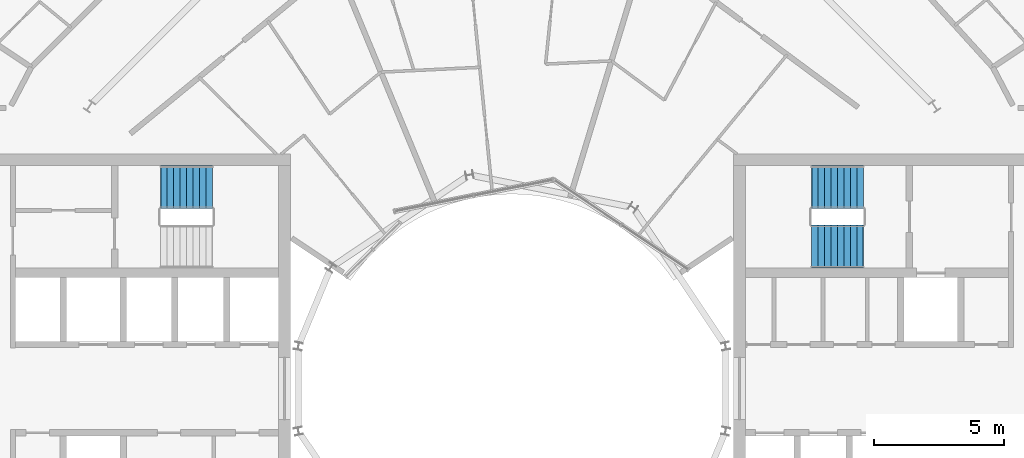
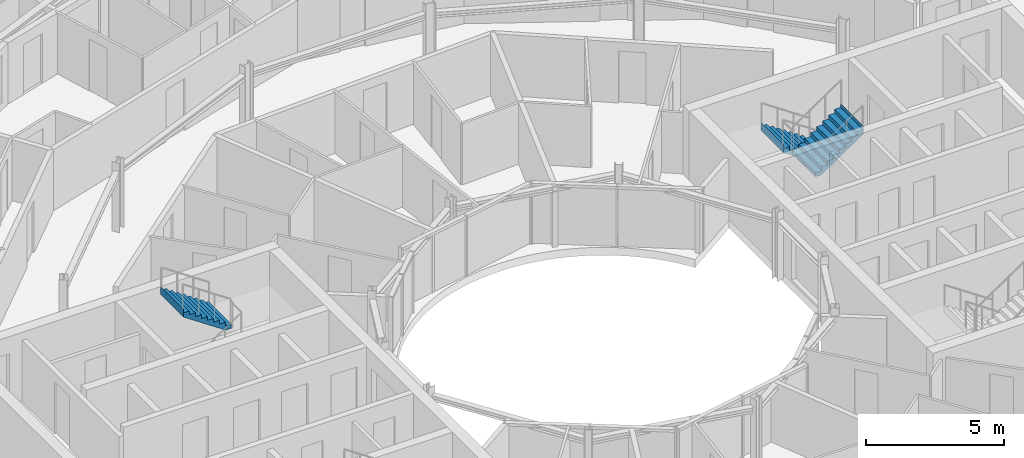
# One storey, part 27 of 29: 3 stair flights, 2 elements without a shape of their own.
"""IFC4 building model written with IfcOpenShell, lengths in metres."""

from ifc_helpers import new_model, si_unit, direction, frame, origin, place, context, subcontext, project, spatial, triangles, material, type_object, element, aggregate, save


model = new_model("IFC4")

# Units and contexts
model_context = context("Model", 3, precision=1e-05, world=origin(), true_north=direction((0.0, 1.0)))
body_context = subcontext(model_context, "Body", "Model", "MODEL_VIEW")
ifc_project = project(units=[si_unit("LENGTHUNIT", "METRE"), si_unit("AREAUNIT", "SQUARE_METRE"), si_unit("VOLUMEUNIT", "CUBIC_METRE"), si_unit("PLANEANGLEUNIT", "RADIAN"), si_unit("MASSUNIT", "GRAM", prefix="KILO")], contexts=[model_context])

# Site, building, storey
site_placement = place(None, origin())
site = spatial("IfcSite", under=ifc_project, at=site_placement, CompositionType="ELEMENT")
building_placement = place(site_placement, origin())
building = spatial("IfcBuilding", under=site, at=building_placement, Name="Maasbend Ring Residences", CompositionType="ELEMENT")
storey_placement = place(building_placement, frame((0.0, 0.0, 205.449951171875)))
storey = spatial("IfcBuildingStorey", under=building, at=storey_placement, Name="L59", CompositionType="ELEMENT", Elevation=205.449951171875)

# Stair, stair flights
ifc_material_1 = material(Name="Concrete C40/50", Category="concrete")
stair_type = type_object("IfcStairType", Name="CORE STAIR 18 RISERS", PredefinedType="HALF_TURN_STAIR", material=ifc_material_1)
stair_1_placement = place(storey_placement, origin())
stair_1 = element("IfcStair", 1, at=stair_1_placement, inside=storey, type_object=stair_type, Name="L59 Exit stair ST-E1", PredefinedType="HALF_TURN_STAIR")
ifc_material_2 = material(Name="Concrete C40/50", Category="concrete")
stair_flight_type = type_object("IfcStairFlightType", Name="CORE STAIR FLIGHT 1650", PredefinedType="STRAIGHT", material=ifc_material_2)
stair_flight_1_placement = place(storey_placement, frame((13.550048828125, 7.77490234375, 0.0), z_axis=(0.0, 0.0, 1.0), x_axis=(-1.0, 0.0, 0.0)))
stair_flight_1 = element("IfcStairFlight", 2, at=stair_flight_1_placement, type_object=stair_flight_type, Name="ST-E1 flight 1", NumberOfRisers=9, NumberOfTreads=8, PredefinedType="STRAIGHT", RiserHeight=0.169444444, TreadLength=0.25, context=body_context, shape_type="Tessellation", body=[
    triangles([(0.24072265625, 0.824951171875, -0.02001953125), (2.0029296875, 0.824951171875, 1.174560546875), (2.0029296875, 0.824951171875, 1.52490234375), (1.989990234375, 0.824951171875, 1.35546875), (1.75, 0.824951171875, 1.35546875), (1.75, 0.824951171875, 1.18603515625), (1.5, 0.824951171875, 1.18603515625), (1.5, 0.824951171875, 1.0166015625), (1.25, 0.824951171875, 1.0166015625), (1.25, 0.824951171875, 0.84716796875), (1.0, 0.824951171875, 0.84716796875), (1.0, 0.824951171875, 0.677734375), (0.75, 0.824951171875, 0.677734375), (0.75, 0.824951171875, 0.50830078125), (0.5, 0.824951171875, 0.50830078125), (0.5, 0.824951171875, 0.3388671875), (0.25, 0.824951171875, 0.3388671875), (0.25, 0.824951171875, 0.16943359375), (0.0, 0.824951171875, 0.16943359375), (0.0, 0.824951171875, 0.0), (-0.0029296875, 0.824951171875, 0.0), (-0.0029296875, 0.824951171875, -0.02001953125), (0.24072265625, 0.27490234375, -0.02001953125), (2.0029296875, 0.27490234375, 1.174560546875), (2.0029296875, 0.27490234375, 1.52490234375), (1.989990234375, 0.27490234375, 1.35546875), (1.75, 0.27490234375, 1.35546875), (1.75, 0.27490234375, 1.18603515625), (1.5, 0.27490234375, 1.18603515625), (1.5, 0.27490234375, 1.0166015625), (1.25, 0.27490234375, 1.0166015625), (1.25, 0.27490234375, 0.84716796875), (1.0, 0.27490234375, 0.84716796875), (1.0, 0.27490234375, 0.677734375), (0.75, 0.27490234375, 0.677734375), (0.75, 0.27490234375, 0.50830078125), (0.5, 0.27490234375, 0.50830078125), (0.5, 0.27490234375, 0.3388671875), (0.25, 0.27490234375, 0.3388671875), (0.25, 0.27490234375, 0.16943359375), (0.0, 0.27490234375, 0.16943359375), (0.0, 0.27490234375, 0.0), (-0.0029296875, 0.27490234375, 0.0), (-0.0029296875, 0.27490234375, -0.02001953125), (0.24072265625, -0.27490234375, -0.02001953125), (2.0029296875, -0.27490234375, 1.174560546875), (2.0029296875, -0.27490234375, 1.52490234375), (1.989990234375, -0.27490234375, 1.35546875), (1.75, -0.27490234375, 1.35546875), (1.75, -0.27490234375, 1.18603515625), (1.5, -0.27490234375, 1.18603515625), (1.5, -0.27490234375, 1.0166015625), (1.25, -0.27490234375, 1.0166015625), (1.25, -0.27490234375, 0.84716796875), (1.0, -0.27490234375, 0.84716796875), (1.0, -0.27490234375, 0.677734375), (0.75, -0.27490234375, 0.677734375), (0.75, -0.27490234375, 0.50830078125), (0.5, -0.27490234375, 0.50830078125), (0.5, -0.27490234375, 0.3388671875), (0.25, -0.27490234375, 0.3388671875), (0.25, -0.27490234375, 0.16943359375), (0.0, -0.27490234375, 0.16943359375), (0.0, -0.27490234375, 0.0), (-0.0029296875, -0.27490234375, 0.0), (-0.0029296875, -0.27490234375, -0.02001953125), (0.24072265625, -0.824951171875, -0.02001953125), (2.0029296875, -0.824951171875, 1.174560546875), (2.0029296875, -0.824951171875, 1.52490234375), (1.989990234375, -0.824951171875, 1.35546875), (1.75, -0.824951171875, 1.35546875), (1.75, -0.824951171875, 1.18603515625), (1.5, -0.824951171875, 1.18603515625), (1.5, -0.824951171875, 1.0166015625), (1.25, -0.824951171875, 1.0166015625), (1.25, -0.824951171875, 0.84716796875), (1.0, -0.824951171875, 0.84716796875), (1.0, -0.824951171875, 0.677734375), (0.75, -0.824951171875, 0.677734375), (0.75, -0.824951171875, 0.50830078125), (0.5, -0.824951171875, 0.50830078125), (0.5, -0.824951171875, 0.3388671875), (0.25, -0.824951171875, 0.3388671875), (0.25, -0.824951171875, 0.16943359375), (0.0, -0.824951171875, 0.16943359375), (0.0, -0.824951171875, 0.0), (-0.0029296875, -0.824951171875, 0.0), (-0.0029296875, -0.824951171875, -0.02001953125)], [[1, 2, 24], [1, 24, 23], [23, 24, 46], [23, 46, 45], [45, 46, 68], [45, 68, 67], [2, 3, 25], [2, 25, 24], [24, 25, 47], [24, 47, 46], [46, 47, 69], [46, 69, 68], [3, 4, 26], [3, 26, 25], [25, 26, 48], [25, 48, 47], [47, 48, 70], [47, 70, 69], [4, 5, 27], [4, 27, 26], [26, 27, 49], [26, 49, 48], [48, 49, 71], [48, 71, 70], [5, 6, 28], [5, 28, 27], [27, 28, 50], [27, 50, 49], [49, 50, 72], [49, 72, 71], [6, 7, 29], [6, 29, 28], [28, 29, 51], [28, 51, 50], [50, 51, 73], [50, 73, 72], [7, 8, 30], [7, 30, 29], [29, 30, 52], [29, 52, 51], [51, 52, 74], [51, 74, 73], [8, 9, 31], [8, 31, 30], [30, 31, 53], [30, 53, 52], [52, 53, 75], [52, 75, 74], [9, 10, 32], [9, 32, 31], [31, 32, 54], [31, 54, 53], [53, 54, 76], [53, 76, 75], [10, 11, 33], [10, 33, 32], [32, 33, 55], [32, 55, 54], [54, 55, 77], [54, 77, 76], [11, 12, 34], [11, 34, 33], [33, 34, 56], [33, 56, 55], [55, 56, 78], [55, 78, 77], [12, 13, 35], [12, 35, 34], [34, 35, 57], [34, 57, 56], [56, 57, 79], [56, 79, 78], [13, 14, 36], [13, 36, 35], [35, 36, 58], [35, 58, 57], [57, 58, 80], [57, 80, 79], [14, 15, 37], [14, 37, 36], [36, 37, 59], [36, 59, 58], [58, 59, 81], [58, 81, 80], [15, 16, 38], [15, 38, 37], [37, 38, 60], [37, 60, 59], [59, 60, 82], [59, 82, 81], [16, 17, 39], [16, 39, 38], [38, 39, 61], [38, 61, 60], [60, 61, 83], [60, 83, 82], [17, 18, 40], [17, 40, 39], [39, 40, 62], [39, 62, 61], [61, 62, 84], [61, 84, 83], [18, 19, 41], [18, 41, 40], [40, 41, 63], [40, 63, 62], [62, 63, 85], [62, 85, 84], [19, 20, 42], [19, 42, 41], [41, 42, 64], [41, 64, 63], [63, 64, 86], [63, 86, 85], [20, 21, 43], [20, 43, 42], [42, 43, 65], [42, 65, 64], [64, 65, 87], [64, 87, 86], [21, 22, 44], [21, 44, 43], [43, 44, 66], [43, 66, 65], [65, 66, 88], [65, 88, 87], [22, 1, 23], [22, 23, 44], [44, 23, 45], [44, 45, 66], [66, 45, 67], [66, 67, 88], [22, 2, 1], [2, 4, 3], [2, 5, 4], [2, 6, 5], [22, 6, 2], [6, 8, 7], [22, 8, 6], [8, 10, 9], [22, 10, 8], [10, 12, 11], [22, 12, 10], [12, 14, 13], [22, 14, 12], [14, 16, 15], [22, 16, 14], [16, 18, 17], [22, 18, 16], [18, 20, 19], [22, 20, 18], [20, 22, 21], [88, 67, 68], [68, 69, 70], [68, 70, 71], [68, 71, 72], [88, 68, 72], [72, 73, 74], [88, 72, 74], [74, 75, 76], [88, 74, 76], [76, 77, 78], [88, 76, 78], [78, 79, 80], [88, 78, 80], [80, 81, 82], [88, 80, 82], [82, 83, 84], [88, 82, 84], [84, 85, 86], [88, 84, 86], [86, 87, 88]], closed=True),
])
stair_flight_2_placement = place(storey_placement, frame((11.550048828125, 5.47509765625, 1.525146484375), z_axis=(0.0, 0.0, 1.0), x_axis=(1.0, 0.0, 0.0)))
stair_flight_2 = element("IfcStairFlight", 3, at=stair_flight_2_placement, type_object=stair_flight_type, Name="ST-E1 flight 2", NumberOfRisers=9, NumberOfTreads=8, PredefinedType="STRAIGHT", RiserHeight=0.169444444, TreadLength=0.25, context=body_context, shape_type="Tessellation", body=[
    triangles([(0.24072265625, 0.824951171875, -0.02001953125), (2.0029296875, 0.824951171875, 1.174560546875), (2.0029296875, 0.824951171875, 1.52490234375), (1.989990234375, 0.824951171875, 1.35546875), (1.75, 0.824951171875, 1.35546875), (1.75, 0.824951171875, 1.18603515625), (1.5, 0.824951171875, 1.18603515625), (1.5, 0.824951171875, 1.0166015625), (1.25, 0.824951171875, 1.0166015625), (1.25, 0.824951171875, 0.84716796875), (1.0, 0.824951171875, 0.84716796875), (1.0, 0.824951171875, 0.677734375), (0.75, 0.824951171875, 0.677734375), (0.75, 0.824951171875, 0.50830078125), (0.5, 0.824951171875, 0.50830078125), (0.5, 0.824951171875, 0.3388671875), (0.25, 0.824951171875, 0.3388671875), (0.25, 0.824951171875, 0.16943359375), (0.0, 0.824951171875, 0.16943359375), (0.0, 0.824951171875, 0.0), (-0.0029296875, 0.824951171875, 0.0), (-0.0029296875, 0.824951171875, -0.02001953125), (0.24072265625, 0.27490234375, -0.02001953125), (2.0029296875, 0.27490234375, 1.174560546875), (2.0029296875, 0.27490234375, 1.52490234375), (1.989990234375, 0.27490234375, 1.35546875), (1.75, 0.27490234375, 1.35546875), (1.75, 0.27490234375, 1.18603515625), (1.5, 0.27490234375, 1.18603515625), (1.5, 0.27490234375, 1.0166015625), (1.25, 0.27490234375, 1.0166015625), (1.25, 0.27490234375, 0.84716796875), (1.0, 0.27490234375, 0.84716796875), (1.0, 0.27490234375, 0.677734375), (0.75, 0.27490234375, 0.677734375), (0.75, 0.27490234375, 0.50830078125), (0.5, 0.27490234375, 0.50830078125), (0.5, 0.27490234375, 0.3388671875), (0.25, 0.27490234375, 0.3388671875), (0.25, 0.27490234375, 0.16943359375), (0.0, 0.27490234375, 0.16943359375), (0.0, 0.27490234375, 0.0), (-0.0029296875, 0.27490234375, 0.0), (-0.0029296875, 0.27490234375, -0.02001953125), (0.24072265625, -0.27490234375, -0.02001953125), (2.0029296875, -0.27490234375, 1.174560546875), (2.0029296875, -0.27490234375, 1.52490234375), (1.989990234375, -0.27490234375, 1.35546875), (1.75, -0.27490234375, 1.35546875), (1.75, -0.27490234375, 1.18603515625), (1.5, -0.27490234375, 1.18603515625), (1.5, -0.27490234375, 1.0166015625), (1.25, -0.27490234375, 1.0166015625), (1.25, -0.27490234375, 0.84716796875), (1.0, -0.27490234375, 0.84716796875), (1.0, -0.27490234375, 0.677734375), (0.75, -0.27490234375, 0.677734375), (0.75, -0.27490234375, 0.50830078125), (0.5, -0.27490234375, 0.50830078125), (0.5, -0.27490234375, 0.3388671875), (0.25, -0.27490234375, 0.3388671875), (0.25, -0.27490234375, 0.16943359375), (0.0, -0.27490234375, 0.16943359375), (0.0, -0.27490234375, 0.0), (-0.0029296875, -0.27490234375, 0.0), (-0.0029296875, -0.27490234375, -0.02001953125), (0.24072265625, -0.824951171875, -0.02001953125), (2.0029296875, -0.824951171875, 1.174560546875), (2.0029296875, -0.824951171875, 1.52490234375), (1.989990234375, -0.824951171875, 1.35546875), (1.75, -0.824951171875, 1.35546875), (1.75, -0.824951171875, 1.18603515625), (1.5, -0.824951171875, 1.18603515625), (1.5, -0.824951171875, 1.0166015625), (1.25, -0.824951171875, 1.0166015625), (1.25, -0.824951171875, 0.84716796875), (1.0, -0.824951171875, 0.84716796875), (1.0, -0.824951171875, 0.677734375), (0.75, -0.824951171875, 0.677734375), (0.75, -0.824951171875, 0.50830078125), (0.5, -0.824951171875, 0.50830078125), (0.5, -0.824951171875, 0.3388671875), (0.25, -0.824951171875, 0.3388671875), (0.25, -0.824951171875, 0.16943359375), (0.0, -0.824951171875, 0.16943359375), (0.0, -0.824951171875, 0.0), (-0.0029296875, -0.824951171875, 0.0), (-0.0029296875, -0.824951171875, -0.02001953125)], [[1, 2, 24], [1, 24, 23], [23, 24, 46], [23, 46, 45], [45, 46, 68], [45, 68, 67], [2, 3, 25], [2, 25, 24], [24, 25, 47], [24, 47, 46], [46, 47, 69], [46, 69, 68], [3, 4, 26], [3, 26, 25], [25, 26, 48], [25, 48, 47], [47, 48, 70], [47, 70, 69], [4, 5, 27], [4, 27, 26], [26, 27, 49], [26, 49, 48], [48, 49, 71], [48, 71, 70], [5, 6, 28], [5, 28, 27], [27, 28, 50], [27, 50, 49], [49, 50, 72], [49, 72, 71], [6, 7, 29], [6, 29, 28], [28, 29, 51], [28, 51, 50], [50, 51, 73], [50, 73, 72], [7, 8, 30], [7, 30, 29], [29, 30, 52], [29, 52, 51], [51, 52, 74], [51, 74, 73], [8, 9, 31], [8, 31, 30], [30, 31, 53], [30, 53, 52], [52, 53, 75], [52, 75, 74], [9, 10, 32], [9, 32, 31], [31, 32, 54], [31, 54, 53], [53, 54, 76], [53, 76, 75], [10, 11, 33], [10, 33, 32], [32, 33, 55], [32, 55, 54], [54, 55, 77], [54, 77, 76], [11, 12, 34], [11, 34, 33], [33, 34, 56], [33, 56, 55], [55, 56, 78], [55, 78, 77], [12, 13, 35], [12, 35, 34], [34, 35, 57], [34, 57, 56], [56, 57, 79], [56, 79, 78], [13, 14, 36], [13, 36, 35], [35, 36, 58], [35, 58, 57], [57, 58, 80], [57, 80, 79], [14, 15, 37], [14, 37, 36], [36, 37, 59], [36, 59, 58], [58, 59, 81], [58, 81, 80], [15, 16, 38], [15, 38, 37], [37, 38, 60], [37, 60, 59], [59, 60, 82], [59, 82, 81], [16, 17, 39], [16, 39, 38], [38, 39, 61], [38, 61, 60], [60, 61, 83], [60, 83, 82], [17, 18, 40], [17, 40, 39], [39, 40, 62], [39, 62, 61], [61, 62, 84], [61, 84, 83], [18, 19, 41], [18, 41, 40], [40, 41, 63], [40, 63, 62], [62, 63, 85], [62, 85, 84], [19, 20, 42], [19, 42, 41], [41, 42, 64], [41, 64, 63], [63, 64, 86], [63, 86, 85], [20, 21, 43], [20, 43, 42], [42, 43, 65], [42, 65, 64], [64, 65, 87], [64, 87, 86], [21, 22, 44], [21, 44, 43], [43, 44, 66], [43, 66, 65], [65, 66, 88], [65, 88, 87], [22, 1, 23], [22, 23, 44], [44, 23, 45], [44, 45, 66], [66, 45, 67], [66, 67, 88], [22, 2, 1], [2, 4, 3], [2, 5, 4], [2, 6, 5], [22, 6, 2], [6, 8, 7], [22, 8, 6], [8, 10, 9], [22, 10, 8], [10, 12, 11], [22, 12, 10], [12, 14, 13], [22, 14, 12], [14, 16, 15], [22, 16, 14], [16, 18, 17], [22, 18, 16], [18, 20, 19], [22, 20, 18], [20, 22, 21], [88, 67, 68], [68, 69, 70], [68, 70, 71], [68, 71, 72], [88, 68, 72], [72, 73, 74], [88, 72, 74], [74, 75, 76], [88, 74, 76], [76, 77, 78], [88, 76, 78], [78, 79, 80], [88, 78, 80], [80, 81, 82], [88, 80, 82], [82, 83, 84], [88, 82, 84], [84, 85, 86], [88, 84, 86], [86, 87, 88]], closed=True),
])
aggregate(stair_1, [stair_flight_1, stair_flight_2])

# Stair, stair flight
stair_2_placement = place(storey_placement, origin())
stair_2 = element("IfcStair", 4, at=stair_2_placement, inside=storey, type_object=stair_type, Name="L59 Exit stair ST-W2", PredefinedType="HALF_TURN_STAIR")
stair_flight_3_placement = place(storey_placement, frame((-11.550048828125, 7.77490234375, 1.525146484375), z_axis=(0.0, 0.0, 1.0), x_axis=(-1.0, 0.0, 0.0)))
stair_flight_3 = element("IfcStairFlight", 5, at=stair_flight_3_placement, type_object=stair_flight_type, Name="ST-W2 flight 2", NumberOfRisers=9, NumberOfTreads=8, PredefinedType="STRAIGHT", RiserHeight=0.169444444, TreadLength=0.25, context=body_context, shape_type="Tessellation", body=[
    triangles([(0.24072265625, 0.824951171875, -0.02001953125), (2.0029296875, 0.824951171875, 1.174560546875), (2.0029296875, 0.824951171875, 1.52490234375), (1.989990234375, 0.824951171875, 1.35546875), (1.75, 0.824951171875, 1.35546875), (1.75, 0.824951171875, 1.18603515625), (1.5, 0.824951171875, 1.18603515625), (1.5, 0.824951171875, 1.0166015625), (1.25, 0.824951171875, 1.0166015625), (1.25, 0.824951171875, 0.84716796875), (1.0, 0.824951171875, 0.84716796875), (1.0, 0.824951171875, 0.677734375), (0.75, 0.824951171875, 0.677734375), (0.75, 0.824951171875, 0.50830078125), (0.5, 0.824951171875, 0.50830078125), (0.5, 0.824951171875, 0.3388671875), (0.25, 0.824951171875, 0.3388671875), (0.25, 0.824951171875, 0.16943359375), (0.0, 0.824951171875, 0.16943359375), (0.0, 0.824951171875, 0.0), (-0.0029296875, 0.824951171875, 0.0), (-0.0029296875, 0.824951171875, -0.02001953125), (0.24072265625, 0.27490234375, -0.02001953125), (2.0029296875, 0.27490234375, 1.174560546875), (2.0029296875, 0.27490234375, 1.52490234375), (1.989990234375, 0.27490234375, 1.35546875), (1.75, 0.27490234375, 1.35546875), (1.75, 0.27490234375, 1.18603515625), (1.5, 0.27490234375, 1.18603515625), (1.5, 0.27490234375, 1.0166015625), (1.25, 0.27490234375, 1.0166015625), (1.25, 0.27490234375, 0.84716796875), (1.0, 0.27490234375, 0.84716796875), (1.0, 0.27490234375, 0.677734375), (0.75, 0.27490234375, 0.677734375), (0.75, 0.27490234375, 0.50830078125), (0.5, 0.27490234375, 0.50830078125), (0.5, 0.27490234375, 0.3388671875), (0.25, 0.27490234375, 0.3388671875), (0.25, 0.27490234375, 0.16943359375), (0.0, 0.27490234375, 0.16943359375), (0.0, 0.27490234375, 0.0), (-0.0029296875, 0.27490234375, 0.0), (-0.0029296875, 0.27490234375, -0.02001953125), (0.24072265625, -0.27490234375, -0.02001953125), (2.0029296875, -0.27490234375, 1.174560546875), (2.0029296875, -0.27490234375, 1.52490234375), (1.989990234375, -0.27490234375, 1.35546875), (1.75, -0.27490234375, 1.35546875), (1.75, -0.27490234375, 1.18603515625), (1.5, -0.27490234375, 1.18603515625), (1.5, -0.27490234375, 1.0166015625), (1.25, -0.27490234375, 1.0166015625), (1.25, -0.27490234375, 0.84716796875), (1.0, -0.27490234375, 0.84716796875), (1.0, -0.27490234375, 0.677734375), (0.75, -0.27490234375, 0.677734375), (0.75, -0.27490234375, 0.50830078125), (0.5, -0.27490234375, 0.50830078125), (0.5, -0.27490234375, 0.3388671875), (0.25, -0.27490234375, 0.3388671875), (0.25, -0.27490234375, 0.16943359375), (0.0, -0.27490234375, 0.16943359375), (0.0, -0.27490234375, 0.0), (-0.0029296875, -0.27490234375, 0.0), (-0.0029296875, -0.27490234375, -0.02001953125), (0.24072265625, -0.824951171875, -0.02001953125), (2.0029296875, -0.824951171875, 1.174560546875), (2.0029296875, -0.824951171875, 1.52490234375), (1.989990234375, -0.824951171875, 1.35546875), (1.75, -0.824951171875, 1.35546875), (1.75, -0.824951171875, 1.18603515625), (1.5, -0.824951171875, 1.18603515625), (1.5, -0.824951171875, 1.0166015625), (1.25, -0.824951171875, 1.0166015625), (1.25, -0.824951171875, 0.84716796875), (1.0, -0.824951171875, 0.84716796875), (1.0, -0.824951171875, 0.677734375), (0.75, -0.824951171875, 0.677734375), (0.75, -0.824951171875, 0.50830078125), (0.5, -0.824951171875, 0.50830078125), (0.5, -0.824951171875, 0.3388671875), (0.25, -0.824951171875, 0.3388671875), (0.25, -0.824951171875, 0.16943359375), (0.0, -0.824951171875, 0.16943359375), (0.0, -0.824951171875, 0.0), (-0.0029296875, -0.824951171875, 0.0), (-0.0029296875, -0.824951171875, -0.02001953125)], [[1, 2, 24], [1, 24, 23], [23, 24, 46], [23, 46, 45], [45, 46, 68], [45, 68, 67], [2, 3, 25], [2, 25, 24], [24, 25, 47], [24, 47, 46], [46, 47, 69], [46, 69, 68], [3, 4, 26], [3, 26, 25], [25, 26, 48], [25, 48, 47], [47, 48, 70], [47, 70, 69], [4, 5, 27], [4, 27, 26], [26, 27, 49], [26, 49, 48], [48, 49, 71], [48, 71, 70], [5, 6, 28], [5, 28, 27], [27, 28, 50], [27, 50, 49], [49, 50, 72], [49, 72, 71], [6, 7, 29], [6, 29, 28], [28, 29, 51], [28, 51, 50], [50, 51, 73], [50, 73, 72], [7, 8, 30], [7, 30, 29], [29, 30, 52], [29, 52, 51], [51, 52, 74], [51, 74, 73], [8, 9, 31], [8, 31, 30], [30, 31, 53], [30, 53, 52], [52, 53, 75], [52, 75, 74], [9, 10, 32], [9, 32, 31], [31, 32, 54], [31, 54, 53], [53, 54, 76], [53, 76, 75], [10, 11, 33], [10, 33, 32], [32, 33, 55], [32, 55, 54], [54, 55, 77], [54, 77, 76], [11, 12, 34], [11, 34, 33], [33, 34, 56], [33, 56, 55], [55, 56, 78], [55, 78, 77], [12, 13, 35], [12, 35, 34], [34, 35, 57], [34, 57, 56], [56, 57, 79], [56, 79, 78], [13, 14, 36], [13, 36, 35], [35, 36, 58], [35, 58, 57], [57, 58, 80], [57, 80, 79], [14, 15, 37], [14, 37, 36], [36, 37, 59], [36, 59, 58], [58, 59, 81], [58, 81, 80], [15, 16, 38], [15, 38, 37], [37, 38, 60], [37, 60, 59], [59, 60, 82], [59, 82, 81], [16, 17, 39], [16, 39, 38], [38, 39, 61], [38, 61, 60], [60, 61, 83], [60, 83, 82], [17, 18, 40], [17, 40, 39], [39, 40, 62], [39, 62, 61], [61, 62, 84], [61, 84, 83], [18, 19, 41], [18, 41, 40], [40, 41, 63], [40, 63, 62], [62, 63, 85], [62, 85, 84], [19, 20, 42], [19, 42, 41], [41, 42, 64], [41, 64, 63], [63, 64, 86], [63, 86, 85], [20, 21, 43], [20, 43, 42], [42, 43, 65], [42, 65, 64], [64, 65, 87], [64, 87, 86], [21, 22, 44], [21, 44, 43], [43, 44, 66], [43, 66, 65], [65, 66, 88], [65, 88, 87], [22, 1, 23], [22, 23, 44], [44, 23, 45], [44, 45, 66], [66, 45, 67], [66, 67, 88], [22, 2, 1], [2, 4, 3], [2, 5, 4], [2, 6, 5], [22, 6, 2], [6, 8, 7], [22, 8, 6], [8, 10, 9], [22, 10, 8], [10, 12, 11], [22, 12, 10], [12, 14, 13], [22, 14, 12], [14, 16, 15], [22, 16, 14], [16, 18, 17], [22, 18, 16], [18, 20, 19], [22, 20, 18], [20, 22, 21], [88, 67, 68], [68, 69, 70], [68, 70, 71], [68, 71, 72], [88, 68, 72], [72, 73, 74], [88, 72, 74], [74, 75, 76], [88, 74, 76], [76, 77, 78], [88, 76, 78], [78, 79, 80], [88, 78, 80], [80, 81, 82], [88, 80, 82], [82, 83, 84], [88, 82, 84], [84, 85, 86], [88, 84, 86], [86, 87, 88]], closed=True),
])
aggregate(stair_2, [stair_flight_3])

save(model, "model.ifc")
